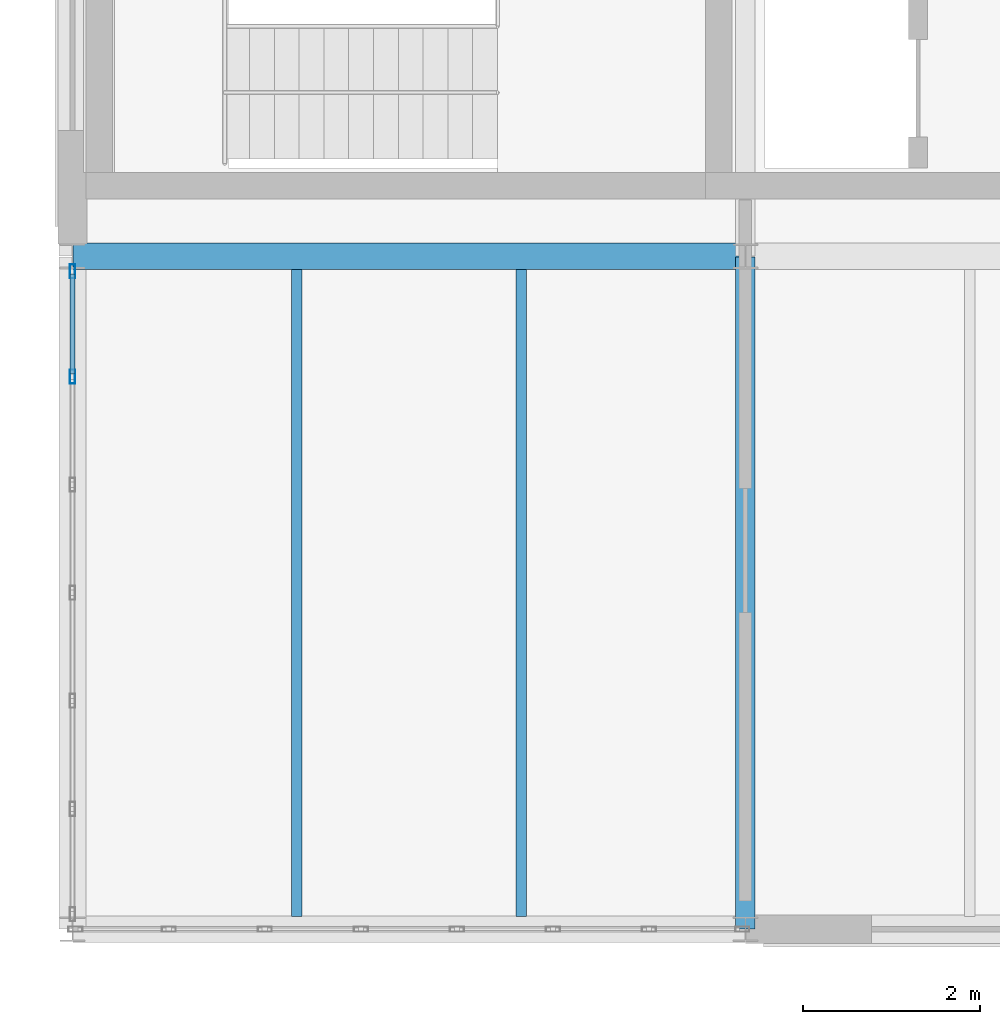
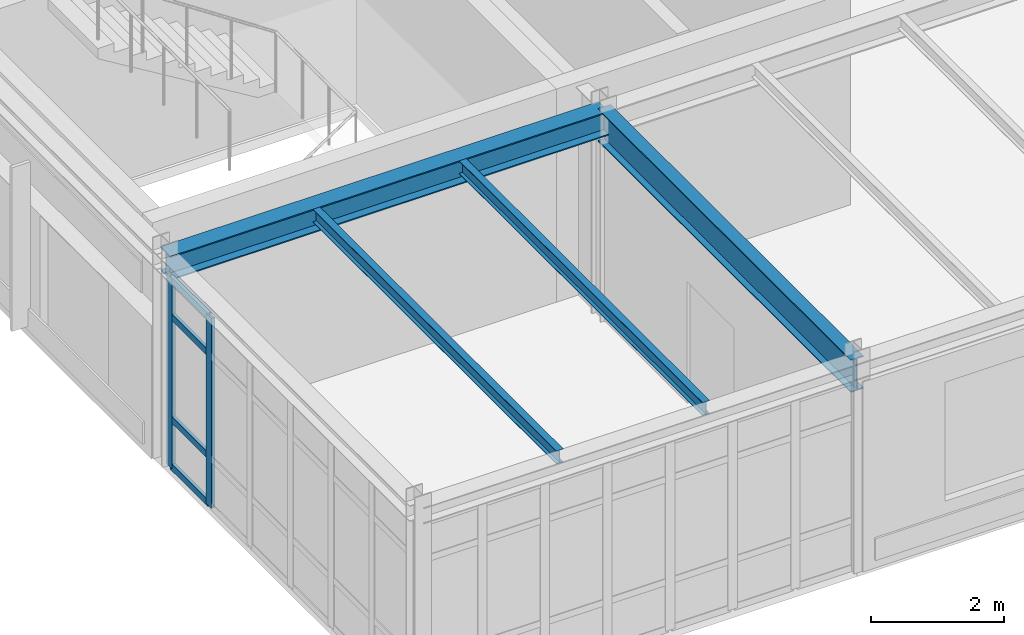
# One storey, part 24 of 165: 6 members, 4 beams, 1 element without a shape of its own.
"""IFC4 building model written with IfcOpenShell, lengths in metres."""

import ifcopenshell
import ifcopenshell.guid

model = None  # the IFC model being written
_history = None  # IfcOwnerHistory: only IFC2X3 demands one
_inside = {}  # id of a spatial element -> (the spatial element, [elements in it])
_under = {}  # id of a project, library or spatial element -> (it, [spatial elements below it])
_declared = {}  # id of a project -> (the project, [libraries it declares])
_typed = {}  # id of a type object -> (the type object, [elements of that type])
_made_of = {}  # id of a material, layer set ... -> (it, [elements and type objects made of it])


def new_model(schema):
    """Start an empty IFC model of exactly this schema.

    Asked for "IFC4X3", IfcOpenShell would pick the latest addendum, in which some entities
    have other attributes; the version numbers below select the first issue.
    IFC2X3 requires an IfcOwnerHistory on every rooted entity: one is made here for all.
    """
    global model, _history
    if schema == "IFC4X3":
        model = ifcopenshell.file(schema_version=(4, 3, 0, 0))
    else:
        model = ifcopenshell.file(schema=schema)
    _inside.clear()
    _under.clear()
    _declared.clear()
    _typed.clear()
    _made_of.clear()
    _history = None
    if model.schema == "IFC2X3":
        org = make("IfcOrganization", Name="unknown")
        user = make(
            "IfcPersonAndOrganization",
            ThePerson=make("IfcPerson", FamilyName="unknown"),
            TheOrganization=org,
        )
        app = make(
            "IfcApplication",
            ApplicationDeveloper=org,
            Version="unknown",
            ApplicationFullName="unknown",
            ApplicationIdentifier="unknown",
        )
        _history = make(
            "IfcOwnerHistory",
            OwningUser=user,
            OwningApplication=app,
            ChangeAction="ADDED",
            CreationDate=0,
        )
    return model


def make(cls, **values):
    """One entity of the class cls with the attributes given. An attribute that is None is left unset."""
    return model.create_entity(
        cls, **{name: value for name, value in values.items() if value is not None}
    )


def rooted(cls, **values):
    """An entity with a GlobalId (a new one), such as an element, a storey or a relation."""
    return make(cls, GlobalId=ifcopenshell.guid.new(), OwnerHistory=_history, **values)


def si_unit(unit_type, name, prefix=None):
    """IfcSIUnit, for example si_unit("LENGTHUNIT", "METRE", prefix="MILLI")."""
    return make("IfcSIUnit", UnitType=unit_type, Prefix=prefix, Name=name)


def assignment(units):
    """IfcUnitAssignment: the units of a project."""
    return None if units is None else make("IfcUnitAssignment", Units=units)


def point(xyz):
    """IfcCartesianPoint."""
    return None if xyz is None else make("IfcCartesianPoint", Coordinates=xyz)


def direction(xyz):
    """IfcDirection."""
    return None if xyz is None else make("IfcDirection", DirectionRatios=xyz)


def frame(location, z_axis=None, x_axis=None):
    """IfcAxis2Placement3D, a coordinate frame: its origin and axes. An axis left out is left unset."""
    return make(
        "IfcAxis2Placement3D",
        Location=point(location),
        Axis=direction(z_axis),
        RefDirection=direction(x_axis),
    )


def frame_2d(location, x_axis=None):
    """IfcAxis2Placement2D, a coordinate frame in the plane: its origin and x axis."""
    return make(
        "IfcAxis2Placement2D", Location=point(location), RefDirection=direction(x_axis)
    )


def origin():
    """The frame at (0, 0, 0) with its axes left unset."""
    return frame((0.0, 0.0, 0.0))


def origin_2d():
    """The frame at (0, 0) in the plane with its x axis left unset."""
    return frame_2d((0.0, 0.0))


def place(relative_to, where):
    """IfcLocalPlacement: puts the frame where relative to a parent placement (None: the world)."""
    return make(
        "IfcLocalPlacement", PlacementRelTo=relative_to, RelativePlacement=where
    )


def context(
    kind, dimensions, precision=None, world=None, true_north=None, identifier=None
):
    """IfcGeometricRepresentationContext, for example the 3D "Model" context."""
    return make(
        "IfcGeometricRepresentationContext",
        ContextIdentifier=identifier,
        ContextType=kind,
        CoordinateSpaceDimension=dimensions,
        Precision=precision,
        WorldCoordinateSystem=world,
        TrueNorth=true_north,
    )


def subcontext(parent, identifier, kind, view, scale=None):
    """IfcGeometricRepresentationSubContext, for example "Body" below "Model"."""
    return make(
        "IfcGeometricRepresentationSubContext",
        ContextIdentifier=identifier,
        ContextType=kind,
        ParentContext=parent,
        TargetScale=scale,
        TargetView=view,
    )


def project(units=None, contexts=None):
    """IfcProject with its units and contexts."""
    return rooted(
        "IfcProject",
        Name="project",
        RepresentationContexts=contexts,
        UnitsInContext=assignment(units),
    )


def spatial(cls, under=None, at=None, **own):
    """A site, building, storey or space (cls), placed at a placement, below another one or the project."""
    s = rooted(cls, ObjectPlacement=at, **own)
    if under is not None:
        _under.setdefault(under.id(), (under, []))[1].append(s)
    return s


def profile(cls, at=None, kind="AREA", **sizes):
    """A parametric profile (cls). Its sizes go by their IFC names, for example OverallWidth=200.0."""
    return make(cls, ProfileType=kind, Position=at, **sizes)


def hollow_rectangle(**sizes):
    """IfcRectangleHollowProfileDef."""
    return profile("IfcRectangleHollowProfileDef", **sizes)


def i_section(**sizes):
    """IfcIShapeProfileDef."""
    return profile("IfcIShapeProfileDef", **sizes)


def extrude(swept, where, along, depth):
    """IfcExtrudedAreaSolid: the profile swept, set in the frame where, extruded along a direction by depth."""
    return make(
        "IfcExtrudedAreaSolid",
        SweptArea=swept,
        Position=where,
        ExtrudedDirection=direction(along),
        Depth=depth,
    )


def shape(context_of_items, identifier, shape_type, items):
    """IfcShapeRepresentation: the items that make up one representation, for example the "Body"."""
    return make(
        "IfcShapeRepresentation",
        ContextOfItems=context_of_items,
        RepresentationIdentifier=identifier,
        RepresentationType=shape_type,
        Items=items,
    )


def material(Name=None, Category=None):
    """IfcMaterial."""
    return make("IfcMaterial", Name=Name, Category=Category)


def layer(
    of_material, thickness, ventilated=None, Name=None, Category=None, Priority=None
):
    """IfcMaterialLayer: one layer of a wall or slab, of a material (None: an air gap)."""
    return make(
        "IfcMaterialLayer",
        Material=of_material,
        LayerThickness=thickness,
        IsVentilated=ventilated,
        Name=Name,
        Category=Category,
        Priority=Priority,
    )


def layer_set(layers, Name=None):
    """IfcMaterialLayerSet."""
    return make("IfcMaterialLayerSet", MaterialLayers=layers, LayerSetName=Name)


def material_profile(
    of_material, cross_section, Name=None, Category=None, Priority=None
):
    """IfcMaterialProfile: a cross section and its material."""
    return make(
        "IfcMaterialProfile",
        Name=Name,
        Material=of_material,
        Profile=cross_section,
        Priority=Priority,
        Category=Category,
    )


def profile_set(profiles, Name=None, composite=None):
    """IfcMaterialProfileSet."""
    return make(
        "IfcMaterialProfileSet",
        Name=Name,
        MaterialProfiles=profiles,
        CompositeProfile=composite,
    )


def made_of(thing, what):
    """Note that an element or type object is made of a material, layer set ...; save() writes the relation."""
    if what is not None:
        _made_of.setdefault(what.id(), (what, []))[1].append(thing)
    return thing


def type_object(cls, material=None, **own):
    """A type object (cls), such as IfcWallType, which elements share."""
    return made_of(rooted(cls, **own), material)


def element(
    cls,
    number,
    at=None,
    inside=None,
    cuts=None,
    type_object=None,
    material=None,
    context=None,
    identifier="Body",
    shape_type=None,
    held_by="IfcProductDefinitionShape",
    body=None,
    shapes=None,
    **own,
):
    """One element of the class cls, such as IfcWall. Its Tag is "e" and its number.

    at: its placement. inside: the storey or other place that contains it. cuts: it is an
    opening in that element (IfcRelVoidsElement). A single representation is given by context,
    identifier, shape_type and body (its items); several are given by shapes. held_by: the class
    of the entity that holds the representations. save() writes the other relations.
    """
    e = rooted(cls, Tag="e%d" % number, ObjectPlacement=at, **own)
    if body is not None:
        shapes = [shape(context, identifier, shape_type, body)]
    if shapes is not None:
        e.Representation = make(held_by, Representations=shapes)
    if inside is not None:
        _inside.setdefault(inside.id(), (inside, []))[1].append(e)
    if cuts is not None:
        rooted(
            "IfcRelVoidsElement", RelatingBuildingElement=cuts, RelatedOpeningElement=e
        )
    if type_object is not None:
        _typed.setdefault(type_object.id(), (type_object, []))[1].append(e)
    return made_of(e, material)


def aggregate(whole, parts):
    """IfcRelAggregates: a whole, such as a stair, and the parts it consists of."""
    return rooted("IfcRelAggregates", RelatingObject=whole, RelatedObjects=parts)


def save(model, path):
    """Write the relations noted so far, then the file.

    IfcRelAggregates (storeys below a building ...), IfcRelContainedInSpatialStructure (elements
    in a storey), IfcRelDefinesByType, IfcRelAssociatesMaterial and IfcRelDeclares: one each for
    every whole, place, type object, material and project.
    """
    for whole, parts in _under.values():
        aggregate(whole, parts)
    for where, things in _inside.values():
        rooted(
            "IfcRelContainedInSpatialStructure",
            RelatedElements=things,
            RelatingStructure=where,
        )
    for kind, things in _typed.values():
        rooted("IfcRelDefinesByType", RelatedObjects=things, RelatingType=kind)
    for what, things in _made_of.values():
        rooted("IfcRelAssociatesMaterial", RelatedObjects=things, RelatingMaterial=what)
    for by, libraries in _declared.values():
        rooted("IfcRelDeclares", RelatingContext=by, RelatedDefinitions=libraries)
    model.write(path)


model = new_model("IFC4")

# Units and contexts
model_context = context("Model", 3, precision=1e-05, world=origin(), true_north=direction((0.0, 1.0)))
body_context = subcontext(model_context, "Body", "Model", "MODEL_VIEW")
ifc_project = project(units=[si_unit("LENGTHUNIT", "METRE"), si_unit("AREAUNIT", "SQUARE_METRE"), si_unit("VOLUMEUNIT", "CUBIC_METRE"), si_unit("PLANEANGLEUNIT", "RADIAN"), si_unit("MASSUNIT", "GRAM", prefix="KILO")], contexts=[model_context])

# Site, building, storey
site_placement = place(None, origin())
site = spatial("IfcSite", under=ifc_project, at=site_placement, CompositionType="ELEMENT")
building_placement = place(site_placement, origin())
building = spatial("IfcBuilding", under=site, at=building_placement, Name="Montecoro Central Library", CompositionType="ELEMENT")
storey_placement = place(building_placement, frame((0.0, 0.0, 5.10009765625)))
storey = spatial("IfcBuildingStorey", under=building, at=storey_placement, Name="L01", CompositionType="ELEMENT", Elevation=5.10009765625)

# Beams
ifc_material_1 = material(Name="Steel S355J2", Category="steel")
ifc_material_profile_1 = material_profile(ifc_material_1, i_section(OverallWidth=0.300048828125, OverallDepth=0.43994140625, WebThickness=0.011474609375, FlangeThickness=0.02099609375, at=origin_2d()), Name="HEA 450")
ifc_profile_set_1 = profile_set([ifc_material_profile_1], Name="Steel S355J2")
beam_type_1 = type_object("IfcBeamType", Name="BM-G-HEA450", PredefinedType="USERDEFINED", material=ifc_profile_set_1)
beam_1_placement = place(storey_placement, frame((5.0048828125, 12.60009765625, 3.60498046875), z_axis=(1.0, 0.0, 0.0), x_axis=(0.0, 1.0, 0.0)))
element("IfcBeam", 1, at=beam_1_placement, inside=storey, type_object=beam_type_1, Name="V3-L01-BX-12-B", ObjectType="GIRDER", PredefinedType="USERDEFINED", context=body_context, shape_type="SweptSolid", body=[
    extrude(i_section(OverallWidth=0.300048828125, OverallDepth=0.43994140625, WebThickness=0.011474609375, FlangeThickness=0.02099609375, at=origin_2d()), origin(), (0.0, 0.0, 1.0), 7.590087890625),
])
ifc_material_profile_2 = material_profile(ifc_material_1, i_section(OverallWidth=0.219970703125, OverallDepth=0.60009765625, WebThickness=0.011962890625, FlangeThickness=0.01904296875, at=origin_2d()), Name="IPE 600")
ifc_profile_set_2 = profile_set([ifc_material_profile_2], Name="Steel S355J2")
beam_type_2 = type_object("IfcBeamType", Name="BM-G-IPE600", PredefinedType="USERDEFINED", material=ifc_profile_set_2)
beam_2_placement = place(storey_placement, frame((12.60009765625, 5.0048828125, 3.52490234375), z_axis=(0.0, 1.0, 0.0), x_axis=(-1.0, 0.0, 0.0)))
element("IfcBeam", 2, at=beam_2_placement, inside=storey, type_object=beam_type_2, Name="V3-L01-BY-2-AB", ObjectType="GIRDER", PredefinedType="USERDEFINED", context=body_context, shape_type="SweptSolid", body=[
    extrude(i_section(OverallWidth=0.219970703125, OverallDepth=0.60009765625, WebThickness=0.011962890625, FlangeThickness=0.01904296875, at=origin_2d()), origin(), (0.0, 0.0, 1.0), 7.590087890625),
])
ifc_material_2 = material(Name="Steel S355", Category="steel")
ifc_material_profile_3 = material_profile(ifc_material_2, i_section(OverallWidth=0.1201171875, OverallDepth=0.239990234375, WebThickness=0.006103515625, FlangeThickness=0.009765625, at=origin_2d()), Name="IPE 240")
ifc_profile_set_3 = profile_set([ifc_material_profile_3], Name="Steel S355")
beam_type_3 = type_object("IfcBeamType", Name="BM-J-IPE240", PredefinedType="JOIST", material=ifc_profile_set_3)
for number, where, z_axis, x_axis, name in (
    (3, (7.532958984375, 5.14697265625, 3.704833984375), (0.0, 1.0, 0.0), (-1.0, 0.0, 0.0), "V3-L01-JS-12-AB-1"),
    (4, (10.06689453125, 5.14697265625, 3.704833984375), (0.0, 1.0, 0.0), (-1.0, 0.0, 0.0), "V3-L01-JS-12-AB-2"),
):
    element("IfcBeam", number, at=place(storey_placement, frame(where, z_axis=z_axis, x_axis=x_axis)), inside=storey, type_object=beam_type_3, Name=name, PredefinedType="JOIST", context=body_context, shape_type="SweptSolid", body=[
        extrude(i_section(OverallWidth=0.1201171875, OverallDepth=0.239990234375, WebThickness=0.006103515625, FlangeThickness=0.009765625, at=origin_2d()), origin(), (0.0, 0.0, 1.0), 7.305908203125),
    ])

# Curtain wall, members
ifc_material_3 = material(Name="Bronze-anodised aluminium and low-E glazing", Category="aluminium")
ifc_layer = layer(ifc_material_3, 0.159912109375)
ifc_layer_set = layer_set([ifc_layer], Name="Bronze-anodised aluminium and low-E glazing")
curtain_wall_type = type_object("IfcCurtainWallType", Name="CWT-032", PredefinedType="NOTDEFINED", material=ifc_layer_set)
curtain_wall_placement = place(storey_placement, origin())
curtain_wall = element("IfcCurtainWall", 5, at=curtain_wall_placement, inside=storey, type_object=curtain_wall_type, Name="V3-L01-CW-W0", PredefinedType="NOTDEFINED")
ifc_material_4 = material(Name="Bronze-anodised aluminium", Category="aluminium")
ifc_material_profile_4 = material_profile(ifc_material_4, hollow_rectangle(XDim=0.06005859375, YDim=0.159912109375, WallThickness=0.00390625, at=origin_2d()), Name="CWM 160x60x4.0")
ifc_profile_set_4 = profile_set([ifc_material_profile_4], Name="Bronze-anodised aluminium")
member_type_1 = type_object("IfcMemberType", Name="CWM-BRZ-60", PredefinedType="MULLION", material=ifc_profile_set_4)
member_1_placement = place(storey_placement, frame((5.0, 12.431884765625, 0.0), z_axis=(0.0, 0.0, 1.0), x_axis=(1.0, 0.0, 0.0)))
member_1 = element("IfcMember", 6, at=member_1_placement, type_object=member_type_1, Name="CW-032 mullion 1", PredefinedType="MULLION", context=body_context, shape_type="SweptSolid", body=[
    extrude(hollow_rectangle(XDim=0.06005859375, YDim=0.159912109375, WallThickness=0.00390625, at=origin_2d()), origin(), (0.0, 0.0, 1.0), 3.47998046875),
])
member_2_placement = place(storey_placement, frame((5.0, 11.241455078125, 0.0), z_axis=(0.0, 0.0, 1.0), x_axis=(1.0, 0.0, 0.0)))
member_2 = element("IfcMember", 7, at=member_2_placement, type_object=member_type_1, Name="CW-032 mullion 2", PredefinedType="MULLION", context=body_context, shape_type="SweptSolid", body=[
    extrude(hollow_rectangle(XDim=0.06005859375, YDim=0.159912109375, WallThickness=0.00390625, at=origin_2d()), origin(), (0.0, 0.0, 1.0), 3.47998046875),
])
ifc_material_profile_5 = material_profile(ifc_material_4, hollow_rectangle(XDim=0.06005859375, YDim=0.1201171875, WallThickness=0.00390625, at=origin_2d()), Name="CWT 120x60x4.0")
ifc_profile_set_5 = profile_set([ifc_material_profile_5], Name="Bronze-anodised aluminium")
member_type_2 = type_object("IfcMemberType", Name="CWT-BRZ-60", PredefinedType="USERDEFINED", material=ifc_profile_set_5)
member_3_placement = place(storey_placement, frame((5.0, 12.402099609375, 0.02978515625), z_axis=(0.0, -1.0, 0.0), x_axis=(1.0, 0.0, 0.0)))
member_3 = element("IfcMember", 8, at=member_3_placement, type_object=member_type_2, Name="CW-032 transom 1.1", ObjectType="TRANSOM", PredefinedType="USERDEFINED", context=body_context, shape_type="SweptSolid", body=[
    extrude(hollow_rectangle(XDim=0.06005859375, YDim=0.1201171875, WallThickness=0.00390625, at=origin_2d()), origin(), (0.0, 0.0, 1.0), 1.130859375),
])
member_4_placement = place(storey_placement, frame((5.0, 12.402099609375, 0.89990234375), z_axis=(0.0, -1.0, 0.0), x_axis=(1.0, 0.0, 0.0)))
member_4 = element("IfcMember", 9, at=member_4_placement, type_object=member_type_2, Name="CW-032 transom 1.2", ObjectType="TRANSOM", PredefinedType="USERDEFINED", context=body_context, shape_type="SweptSolid", body=[
    extrude(hollow_rectangle(XDim=0.06005859375, YDim=0.1201171875, WallThickness=0.00390625, at=origin_2d()), origin(), (0.0, 0.0, 1.0), 1.130859375),
])
member_5_placement = place(storey_placement, frame((5.0, 12.402099609375, 2.77978515625), z_axis=(0.0, -1.0, 0.0), x_axis=(1.0, 0.0, 0.0)))
member_5 = element("IfcMember", 10, at=member_5_placement, type_object=member_type_2, Name="CW-032 transom 1.3", ObjectType="TRANSOM", PredefinedType="USERDEFINED", context=body_context, shape_type="SweptSolid", body=[
    extrude(hollow_rectangle(XDim=0.06005859375, YDim=0.1201171875, WallThickness=0.00390625, at=origin_2d()), origin(), (0.0, 0.0, 1.0), 1.130859375),
])
member_6_placement = place(storey_placement, frame((5.0, 12.402099609375, 3.449951171875), z_axis=(0.0, -1.0, 0.0), x_axis=(1.0, 0.0, 0.0)))
member_6 = element("IfcMember", 11, at=member_6_placement, type_object=member_type_2, Name="CW-032 transom 1.4", ObjectType="TRANSOM", PredefinedType="USERDEFINED", context=body_context, shape_type="SweptSolid", body=[
    extrude(hollow_rectangle(XDim=0.06005859375, YDim=0.1201171875, WallThickness=0.00390625, at=origin_2d()), origin(), (0.0, 0.0, 1.0), 1.130859375),
])
aggregate(curtain_wall, [member_1, member_2, member_3, member_4, member_5, member_6])

save(model, "model.ifc")
